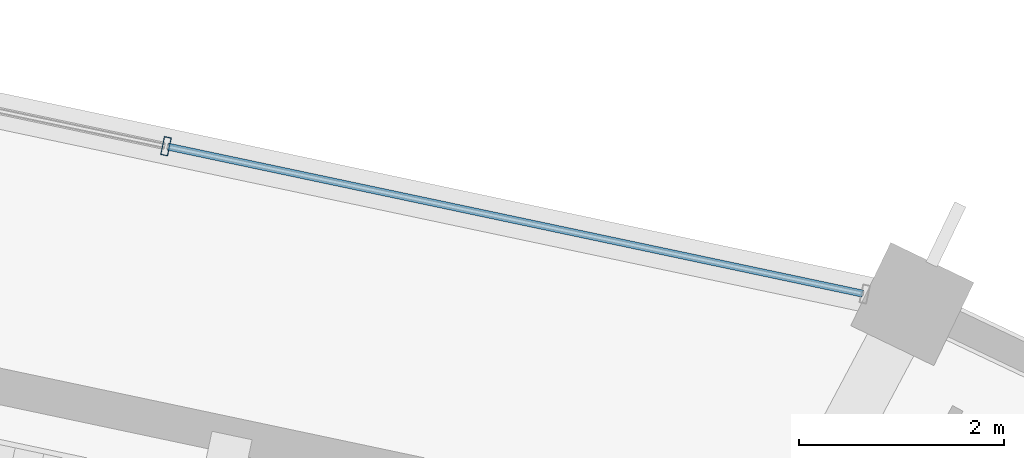
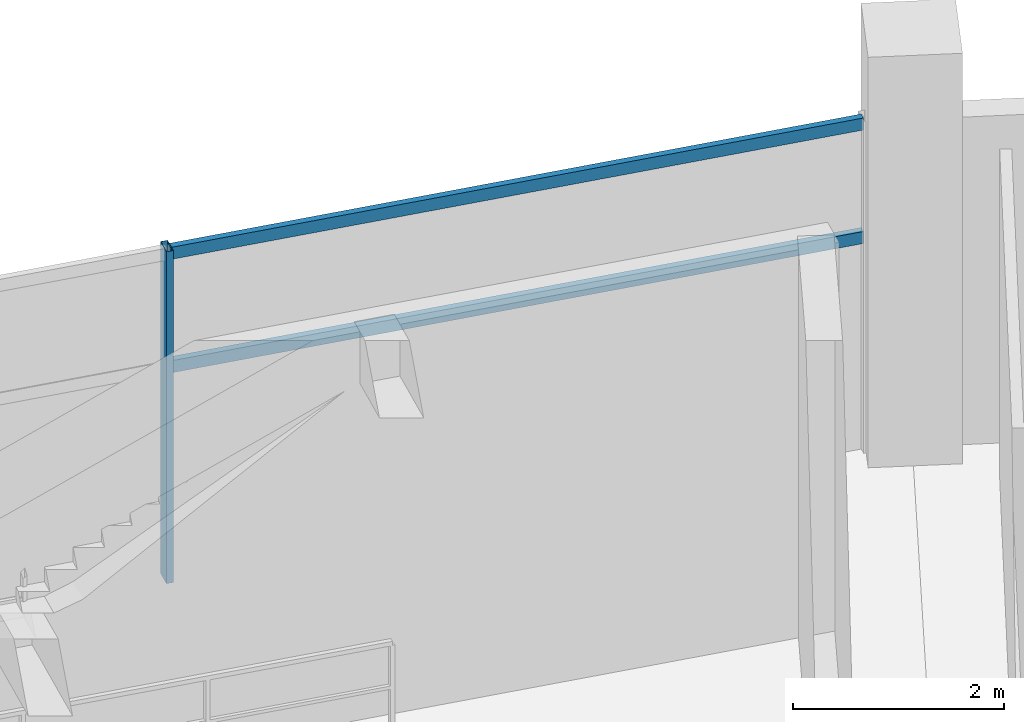
# One storey, part 95 of 156: 3 members, 1 element without a shape of its own.
"""IFC4 building model written with IfcOpenShell, lengths in metres."""

from ifc_helpers import new_model, si_unit, direction, frame, origin, origin_2d, place, context, subcontext, project, spatial, hollow_rectangle, extrude, material, layer, layer_set, material_profile, profile_set, type_object, element, aggregate, save


model = new_model("IFC4")

# Units and contexts
model_context = context("Model", 3, precision=1e-05, world=origin(), true_north=direction((0.0, 1.0)))
body_context = subcontext(model_context, "Body", "Model", "MODEL_VIEW")
ifc_project = project(units=[si_unit("LENGTHUNIT", "METRE"), si_unit("AREAUNIT", "SQUARE_METRE"), si_unit("VOLUMEUNIT", "CUBIC_METRE"), si_unit("PLANEANGLEUNIT", "RADIAN"), si_unit("MASSUNIT", "GRAM", prefix="KILO")], contexts=[model_context])

# Site, building, storey
site_placement = place(None, origin())
site = spatial("IfcSite", under=ifc_project, at=site_placement, CompositionType="ELEMENT")
building_placement = place(site_placement, origin())
building = spatial("IfcBuilding", under=site, at=building_placement, Name="Kazemori Nagisa Stadium", CompositionType="ELEMENT")
storey_placement = place(building_placement, frame((0.0, 0.0, 5.780029296875)))
storey = spatial("IfcBuildingStorey", under=building, at=storey_placement, Name="L01", CompositionType="ELEMENT", Elevation=5.780029296875)

# Curtain wall, members
ifc_material_1 = material(Name="Anodised aluminium 6063-T5", Category="aluminium")
ifc_layer = layer(ifc_material_1, 0.179931640625, Name="Anodised aluminium 6063-T5", Category="aluminium")
ifc_layer_set = layer_set([ifc_layer], Name="Anodised aluminium 6063-T5")
curtain_wall_type = type_object("IfcCurtainWallType", Name="CW_L01R3_105", PredefinedType="USERDEFINED", material=ifc_layer_set)
curtain_wall_placement = place(storey_placement, origin())
curtain_wall = element("IfcCurtainWall", 1, at=curtain_wall_placement, inside=storey, type_object=curtain_wall_type, Name="Unitised curtain wall CW-L01R3-105 L01", ObjectType="UNITISED CURTAIN WALL", PredefinedType="USERDEFINED")
ifc_material_2 = material(Name="Aluminium 6063-T5 anodised", Category="aluminium")
ifc_material_profile_1 = material_profile(ifc_material_2, hollow_rectangle(XDim=0.070068359375, YDim=0.179931640625, WallThickness=0.00390625, at=origin_2d()), Name="ALU-MULL-70x180x4")
ifc_profile_set_1 = profile_set([ifc_material_profile_1], Name="Aluminium 6063-T5 anodised")
member_type_1 = type_object("IfcMemberType", Name="Mullion_M01", PredefinedType="MULLION", material=ifc_profile_set_1)
member_1_placement = place(storey_placement, frame((158.524169921875, 184.004638671875, 0.0), z_axis=(0.0, 0.0, 1.0), x_axis=(-0.978344955407, 0.206981033502, 0.0)))
member_1 = element("IfcMember", 2, at=member_1_placement, type_object=member_type_1, Name="Curtain wall mullion CW-L01R3-105-M2", PredefinedType="MULLION", context=body_context, shape_type="SweptSolid", body=[
    extrude(hollow_rectangle(XDim=0.070068359375, YDim=0.179931640625, WallThickness=0.00390625, at=origin_2d()), origin(), (0.0, 0.0, 1.0), 3.849853515625),
])
ifc_material_profile_2 = material_profile(ifc_material_2, hollow_rectangle(XDim=0.070068359375, YDim=0.139892578125, WallThickness=0.00390625, at=origin_2d()), Name="ALU-TRAN-70x140x4")
ifc_profile_set_2 = profile_set([ifc_material_profile_2], Name="Aluminium 6063-T5 anodised")
member_type_2 = type_object("IfcMemberType", Name="Transom_T01", PredefinedType="USERDEFINED", material=ifc_profile_set_2)
member_2_placement = place(storey_placement, frame((165.320556640625, 182.566650390625, 2.4638671875), z_axis=(-0.97834174255, 0.206996219252, 0.0), x_axis=(-0.206996219252, -0.97834174255, 0.0)))
member_2 = element("IfcMember", 3, at=member_2_placement, type_object=member_type_2, Name="Curtain wall transom CW-L01R3-105-T1-mid", ObjectType="TRANSOM", PredefinedType="USERDEFINED", context=body_context, shape_type="SweptSolid", body=[
    extrude(hollow_rectangle(XDim=0.070068359375, YDim=0.139892578125, WallThickness=0.00390625, at=origin_2d()), origin(), (0.0, 0.0, 1.0), 6.9267578125),
])
member_3_placement = place(storey_placement, frame((165.320556640625, 182.566650390625, 3.780029296875), z_axis=(-0.97834174255, 0.206996219252, 0.0), x_axis=(-0.206996219252, -0.97834174255, 0.0)))
member_3 = element("IfcMember", 4, at=member_3_placement, type_object=member_type_2, Name="Curtain wall transom CW-L01R3-105-T1-head", ObjectType="TRANSOM", PredefinedType="USERDEFINED", context=body_context, shape_type="SweptSolid", body=[
    extrude(hollow_rectangle(XDim=0.070068359375, YDim=0.139892578125, WallThickness=0.00390625, at=origin_2d()), origin(), (0.0, 0.0, 1.0), 6.9267578125),
])
aggregate(curtain_wall, [member_1, member_2, member_3])

save(model, "model.ifc")
